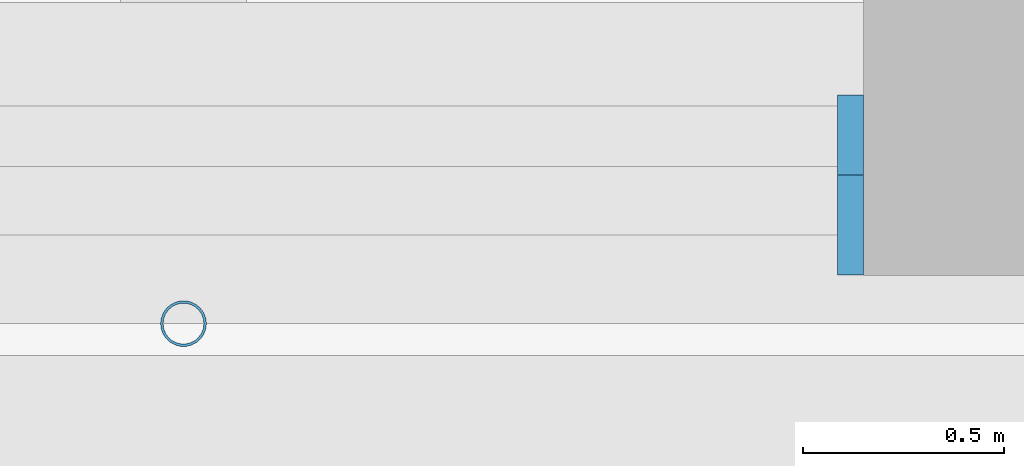
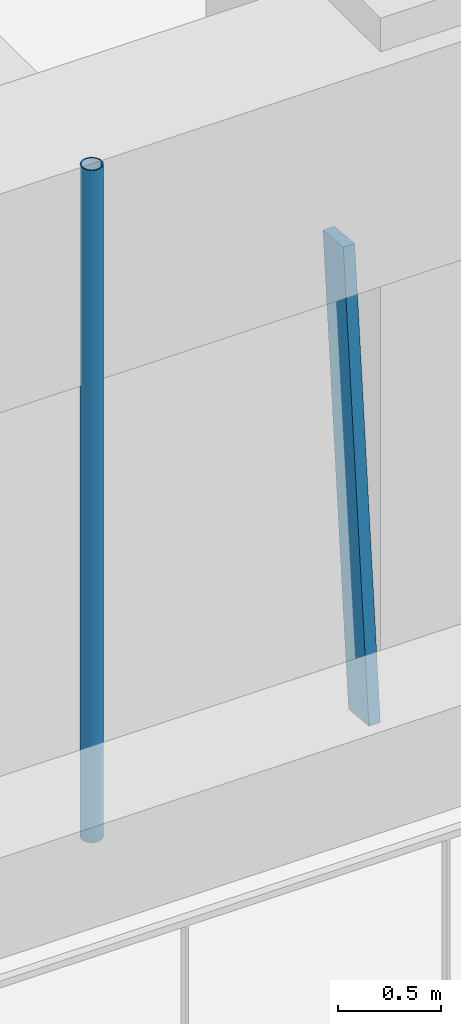
# One storey, part 4 of 24: 2 members, 1 element without a shape of its own.
"""IFC4 building model written with IfcOpenShell, lengths in metres."""

from ifc_helpers import new_model, si_unit, direction, frame, origin, origin_2d, place, context, subcontext, project, spatial, rectangle, hollow_circle, extrude, material, material_profile, profile_set, type_object, element, aggregate, save


model = new_model("IFC4")

# Units and contexts
model_context = context("Model", 3, precision=1e-05, world=origin(), true_north=direction((0.0, 1.0)))
body_context = subcontext(model_context, "Body", "Model", "MODEL_VIEW")
ifc_project = project(units=[si_unit("LENGTHUNIT", "METRE"), si_unit("AREAUNIT", "SQUARE_METRE"), si_unit("VOLUMEUNIT", "CUBIC_METRE"), si_unit("PLANEANGLEUNIT", "RADIAN"), si_unit("MASSUNIT", "GRAM", prefix="KILO")], contexts=[model_context])

# Site, building, storey
site_placement = place(None, origin())
site = spatial("IfcSite", under=ifc_project, at=site_placement, CompositionType="ELEMENT")
building_placement = place(site_placement, origin())
building = spatial("IfcBuilding", under=site, at=building_placement, Name="Tarfa Lantern Tower", CompositionType="ELEMENT")
storey_placement = place(building_placement, frame((0.0, 0.0, 69.699951171875)))
storey = spatial("IfcBuildingStorey", under=building, at=storey_placement, Name="L15", CompositionType="ELEMENT", Elevation=69.699951171875)

# Curtain wall, member
ifc_material_1 = material(Name="Aluminium framed curtain wall", Category="aluminium")
curtain_wall_type = type_object("IfcCurtainWallType", Name="CW1 CANTED GLAZING LOW ZONE 2700", PredefinedType="USERDEFINED", material=ifc_material_1)
curtain_wall_placement = place(storey_placement, origin())
curtain_wall = element("IfcCurtainWall", 1, at=curtain_wall_placement, inside=storey, type_object=curtain_wall_type, Name="CW1 S L15", ObjectType="CURTAIN WALL", PredefinedType="USERDEFINED")
ifc_material_2 = material(Name="Aluminium mullion", Category="aluminium")
ifc_material_profile_1 = material_profile(ifc_material_2, rectangle(XDim=0.06494140625, YDim=0.199951171875, at=origin_2d()), Name="AL MULLION 65x200")
ifc_profile_set_1 = profile_set([ifc_material_profile_1], Name="Aluminium mullion")
member_type_1 = type_object("IfcMemberType", Name="CWM1 MULLION 65x200", PredefinedType="MULLION", material=ifc_profile_set_1)
member_1_placement = place(storey_placement, frame((9.74462890625, -33.89990234375, 0.0), z_axis=(0.0, 0.092199863775, 0.995740520979), x_axis=(-1.0, 0.0, 0.0)))
member_1 = element("IfcMember", 2, at=member_1_placement, type_object=member_type_1, Name="CW1 mullion 2", PredefinedType="MULLION", context=body_context, shape_type="SweptSolid", body=[
    extrude(rectangle(XDim=0.06494140625, YDim=0.199951171875, at=origin_2d()), origin(), (0.0, 0.0, 1.0), 2.71142578125),
])
aggregate(curtain_wall, [member_1])

# Member
ifc_material_3 = material(Name="Steel S355", Category="steel")
ifc_material_profile_2 = material_profile(ifc_material_3, hollow_circle(Radius=0.05712890625, WallThickness=0.00634765625, at=origin_2d()), Name="CHS114.3x6.3")
ifc_profile_set_2 = profile_set([ifc_material_profile_2], Name="Steel S355")
member_type_2 = type_object("IfcMemberType", Name="TR1 GREEN WALL TRELLIS CHS114.3x6.3", PredefinedType="USERDEFINED", material=ifc_profile_set_2)
member_2_placement = place(storey_placement, frame((8.0830078125, -34.1201171875, 0.0), z_axis=(0.0, 0.0, 1.0), x_axis=(1.0, 0.0, 0.0)))
element("IfcMember", 3, at=member_2_placement, inside=storey, type_object=member_type_2, Name="Trellis post S 2", ObjectType="TRELLIS", PredefinedType="USERDEFINED", context=body_context, shape_type="SweptSolid", body=[
    extrude(hollow_circle(Radius=0.05712890625, WallThickness=0.00634765625, at=origin_2d()), origin(), (0.0, 0.0, 1.0), 4.0),
])

save(model, "model.ifc")
